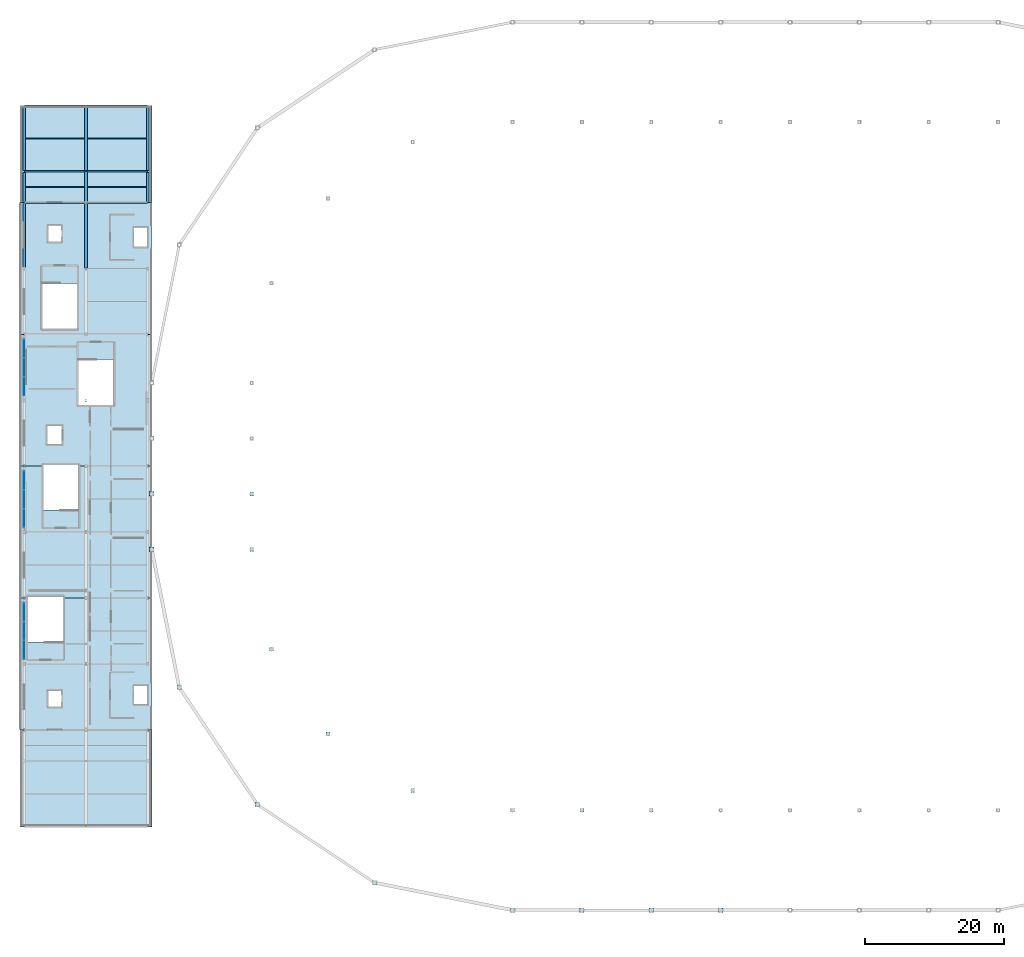
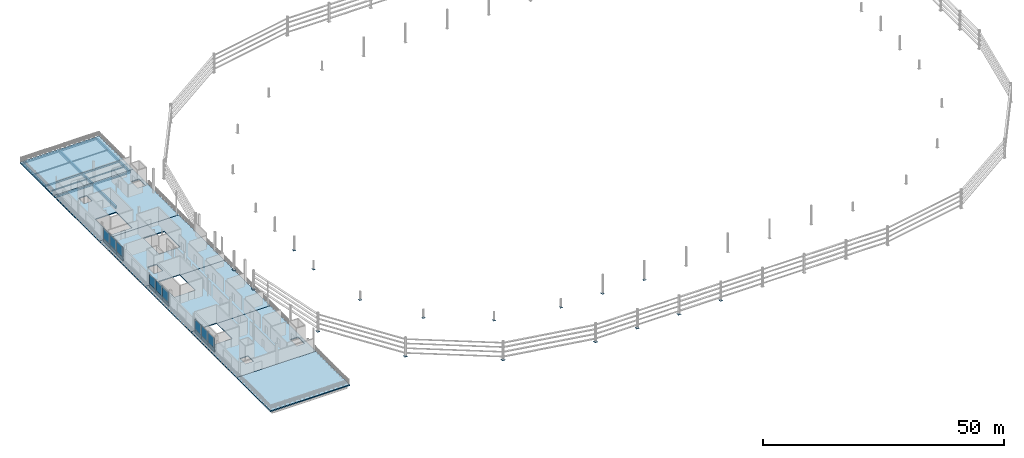
# One storey, part 19 of 29: 35 plates, 18 beams, 6 slabs, 3 elements without a shape of their own.
"""IFC4 building model written with IfcOpenShell, lengths in metres."""

from ifc_helpers import new_model, si_unit, direction, frame, origin, origin_2d, place, context, subcontext, project, spatial, polyline, rectangle, i_section, outline, extrude, material, layer, layer_set, material_profile, profile_set, type_object, element, aggregate, save


model = new_model("IFC4")

# Units and contexts
model_context = context("Model", 3, precision=1e-05, world=origin(), true_north=direction((0.0, 1.0)))
body_context = subcontext(model_context, "Body", "Model", "MODEL_VIEW")
ifc_project = project(units=[si_unit("LENGTHUNIT", "METRE"), si_unit("AREAUNIT", "SQUARE_METRE"), si_unit("VOLUMEUNIT", "CUBIC_METRE"), si_unit("PLANEANGLEUNIT", "RADIAN"), si_unit("MASSUNIT", "GRAM", prefix="KILO")], contexts=[model_context])

# Site, building, storey
site_placement = place(None, origin())
site = spatial("IfcSite", under=ifc_project, at=site_placement, CompositionType="ELEMENT")
building_placement = place(site_placement, origin())
building = spatial("IfcBuilding", under=site, at=building_placement, Name="Candeia Ridge Stadium", CompositionType="ELEMENT")
storey_placement = place(building_placement, frame((0.0, 0.0, 27.0)))
storey = spatial("IfcBuildingStorey", under=building, at=storey_placement, Name="L05", CompositionType="ELEMENT", Elevation=27.0)

# Beams
ifc_material_1 = material(Name="Steel ASTM A572 Grade 50", Category="steel")
ifc_material_profile_1 = material_profile(ifc_material_1, i_section(OverallWidth=0.194091796875, OverallDepth=0.468994140625, WebThickness=0.0126953125, FlangeThickness=0.0205078125, FilletRadius=0.012939453125, at=origin_2d()), Name="W460x106", Category="steel")
ifc_profile_set_1 = profile_set([ifc_material_profile_1], Name="Steel ASTM A572 Grade 50")
beam_type_1 = type_object("IfcBeamType", Name="Gondola Primary Girder W460x106", PredefinedType="BEAM", material=ifc_profile_set_1)
for number, where, z_axis, x_axis, name in (
    (1, (0.64990234375, 121.0, -0.50439453125), (1.0, 0.0, 0.0), (0.0, 1.0, 0.0), "Structural girder BM-L05-1394"),
    (2, (0.64990234375, 125.5, -0.50439453125), (1.0, 0.0, 0.0), (0.0, 1.0, 0.0), "Structural girder BM-L05-1396"),
    (3, (0.64990234375, 135.0, -0.50439453125), (1.0, 0.0, 0.0), (0.0, 1.0, 0.0), "Structural girder BM-L05-1398"),
    (4, (9.550048828125, 121.0, -0.50439453125), (1.0, 0.0, 0.0), (0.0, 1.0, 0.0), "Structural girder BM-L05-1414"),
    (5, (9.550048828125, 125.5, -0.50439453125), (1.0, 0.0, 0.0), (0.0, 1.0, 0.0), "Structural girder BM-L05-1416"),
    (6, (9.550048828125, 135.0, -0.50439453125), (1.0, 0.0, 0.0), (0.0, 1.0, 0.0), "Structural girder BM-L05-1418"),
):
    element("IfcBeam", number, at=place(storey_placement, frame(where, z_axis=z_axis, x_axis=x_axis)), inside=storey, type_object=beam_type_1, Name=name, PredefinedType="BEAM", context=body_context, shape_type="SweptSolid", body=[
        extrude(i_section(OverallWidth=0.194091796875, OverallDepth=0.468994140625, WebThickness=0.0126953125, FlangeThickness=0.0205078125, FilletRadius=0.012939453125, at=origin_2d()), origin(), (0.0, 0.0, 1.0), 8.800048828125),
    ])
ifc_material_profile_2 = material_profile(ifc_material_1, i_section(OverallWidth=0.1669921875, OverallDepth=0.31689453125, WebThickness=0.007568359375, FlangeThickness=0.01318359375, FilletRadius=0.011962890625, at=origin_2d()), Name="W310x52", Category="steel")
ifc_profile_set_2 = profile_set([ifc_material_profile_2], Name="Steel ASTM A572 Grade 50")
beam_type_2 = type_object("IfcBeamType", Name="Pavilion Secondary Joist W310x52", PredefinedType="JOIST", material=ifc_profile_set_2)
for number, where, z_axis, x_axis, name in (
    (7, (0.7744140625, 123.25, -0.428466796875), (1.0, 0.0, 0.0), (0.0, 1.0, 0.0), "Wing secondary joist BM-L05-1395"),
    (8, (0.7744140625, 130.25, -0.428466796875), (1.0, 0.0, 0.0), (0.0, 1.0, 0.0), "Wing secondary joist BM-L05-1397"),
    (9, (9.699462890625, 123.25, -0.428466796875), (1.0, 0.0, 0.0), (0.0, 1.0, 0.0), "Wing secondary joist BM-L05-1415"),
    (10, (9.699462890625, 130.25, -0.428466796875), (1.0, 0.0, 0.0), (0.0, 1.0, 0.0), "Wing secondary joist BM-L05-1417"),
):
    element("IfcBeam", number, at=place(storey_placement, frame(where, z_axis=z_axis, x_axis=x_axis)), inside=storey, type_object=beam_type_2, Name=name, PredefinedType="JOIST", context=body_context, shape_type="SweptSolid", body=[
        extrude(i_section(OverallWidth=0.1669921875, OverallDepth=0.31689453125, WebThickness=0.007568359375, FlangeThickness=0.01318359375, FilletRadius=0.011962890625, at=origin_2d()), origin(), (0.0, 0.0, 1.0), 8.526123046875),
    ])
ifc_material_2 = material(Name="Concrete C40/50", Category="concrete")
ifc_material_profile_3 = material_profile(ifc_material_2, rectangle(XDim=0.35009765625, YDim=0.64990234375, at=origin_2d()), Name="RC350x650", Category="concrete")
ifc_profile_set_3 = profile_set([ifc_material_profile_3], Name="Concrete C40/50")
beam_type_3 = type_object("IfcBeamType", Name="Spandrel Beam RC350x650", PredefinedType="SPANDREL", material=ifc_profile_set_3)
beam_1_placement = place(storey_placement, frame((0.60009765625, 111.659912109375, -0.594970703125), z_axis=(0.0, 1.0, 0.0), x_axis=(-1.0, 0.0, 0.0)))
element("IfcBeam", 11, at=beam_1_placement, inside=storey, type_object=beam_type_3, Name="Structural girder BM-L05-1362", PredefinedType="SPANDREL", context=body_context, shape_type="SweptSolid", body=[
    extrude(rectangle(XDim=0.35009765625, YDim=0.64990234375, at=origin_2d()), origin(), (0.0, 0.0, 1.0), 9.18017578125),
])
beam_2_placement = place(storey_placement, frame((0.60009765625, 121.159912109375, -0.594970703125), z_axis=(0.0, 1.0, 0.0), x_axis=(-1.0, 0.0, 0.0)))
element("IfcBeam", 12, at=beam_2_placement, inside=storey, type_object=beam_type_3, Name="Structural girder BM-L05-1363", PredefinedType="SPANDREL", context=body_context, shape_type="SweptSolid", body=[
    extrude(rectangle(XDim=0.35009765625, YDim=0.64990234375, at=origin_2d()), origin(), (0.0, 0.0, 1.0), 4.18017578125),
])
beam_3_placement = place(storey_placement, frame((0.60009765625, 125.659912109375, -0.594970703125), z_axis=(0.0, 1.0, 0.0), x_axis=(-1.0, 0.0, 0.0)))
element("IfcBeam", 13, at=beam_3_placement, inside=storey, type_object=beam_type_3, Name="Structural girder BM-L05-1364", PredefinedType="SPANDREL", context=body_context, shape_type="SweptSolid", body=[
    extrude(rectangle(XDim=0.35009765625, YDim=0.64990234375, at=origin_2d()), origin(), (0.0, 0.0, 1.0), 9.18017578125),
])
beam_4_placement = place(storey_placement, frame((18.39990234375, 121.159912109375, -0.594970703125), z_axis=(0.0, 1.0, 0.0), x_axis=(-1.0, 0.0, 0.0)))
element("IfcBeam", 14, at=beam_4_placement, inside=storey, type_object=beam_type_3, Name="Structural girder BM-L05-1383", PredefinedType="SPANDREL", context=body_context, shape_type="SweptSolid", body=[
    extrude(rectangle(XDim=0.35009765625, YDim=0.64990234375, at=origin_2d()), origin(), (0.0, 0.0, 1.0), 4.18017578125),
])
beam_5_placement = place(storey_placement, frame((18.39990234375, 125.659912109375, -0.594970703125), z_axis=(0.0, 1.0, 0.0), x_axis=(-1.0, 0.0, 0.0)))
element("IfcBeam", 15, at=beam_5_placement, inside=storey, type_object=beam_type_3, Name="Structural girder BM-L05-1384", PredefinedType="SPANDREL", context=body_context, shape_type="SweptSolid", body=[
    extrude(rectangle(XDim=0.35009765625, YDim=0.64990234375, at=origin_2d()), origin(), (0.0, 0.0, 1.0), 9.18017578125),
])
ifc_material_profile_4 = material_profile(ifc_material_2, rectangle(XDim=0.39990234375, YDim=0.64990234375, at=origin_2d()), Name="RC400x650", Category="concrete")
ifc_profile_set_4 = profile_set([ifc_material_profile_4], Name="Concrete C40/50")
beam_type_4 = type_object("IfcBeamType", Name="Wing Primary Girder RC400x650", PredefinedType="BEAM", material=ifc_profile_set_4)
beam_6_placement = place(storey_placement, frame((9.5, 111.550048828125, -0.594970703125), z_axis=(0.0, 1.0, 0.0), x_axis=(-1.0, 0.0, 0.0)))
element("IfcBeam", 16, at=beam_6_placement, inside=storey, type_object=beam_type_4, Name="Structural girder BM-L05-1372", PredefinedType="BEAM", context=body_context, shape_type="SweptSolid", body=[
    extrude(rectangle(XDim=0.39990234375, YDim=0.64990234375, at=origin_2d()), origin(), (0.0, 0.0, 1.0), 9.39990234375),
])
beam_7_placement = place(storey_placement, frame((9.5, 121.050048828125, -0.594970703125), z_axis=(0.0, 1.0, 0.0), x_axis=(-1.0, 0.0, 0.0)))
element("IfcBeam", 17, at=beam_7_placement, inside=storey, type_object=beam_type_4, Name="Structural girder BM-L05-1373", PredefinedType="BEAM", context=body_context, shape_type="SweptSolid", body=[
    extrude(rectangle(XDim=0.39990234375, YDim=0.64990234375, at=origin_2d()), origin(), (0.0, 0.0, 1.0), 4.39990234375),
])
beam_8_placement = place(storey_placement, frame((9.5, 125.550048828125, -0.594970703125), z_axis=(0.0, 1.0, 0.0), x_axis=(-1.0, 0.0, 0.0)))
element("IfcBeam", 18, at=beam_8_placement, inside=storey, type_object=beam_type_4, Name="Structural girder BM-L05-1374", PredefinedType="BEAM", context=body_context, shape_type="SweptSolid", body=[
    extrude(rectangle(XDim=0.39990234375, YDim=0.64990234375, at=origin_2d()), origin(), (0.0, 0.0, 1.0), 9.39990234375),
])

# Slabs
ifc_layer_1 = layer(ifc_material_2, 0.239990234375, Name="Concrete C40/50", Category="concrete")
ifc_layer_set_1 = layer_set([ifc_layer_1], Name="Concrete C40/50")
slab_type_1 = type_object("IfcSlabType", Name="Broadcast Gondola Slab 240", PredefinedType="FLOOR", material=ifc_layer_set_1)
slab_1_placement = place(storey_placement, frame((0.0, 0.0, -0.239990234375)))
element("IfcSlab", 19, at=slab_1_placement, inside=storey, type_object=slab_type_1, Name="Wing floor slab west SLB-L05-0308", PredefinedType="FLOOR", context=body_context, shape_type="SweptSolid", body=[
    extrude(outline(polyline([(19.0, 64.0), (19.0, 45.0), (0.0, 45.0), (0.0, 64.0), (1.14990234375, 64.0), (1.14990234375, 57.650634765625), (6.199951171875, 57.650634765625), (6.199951171875, 64.0), (19.0, 64.0)]), holes=[polyline([(4.050048828125, 50.64990234375), (4.050048828125, 48.35009765625), (5.949951171875, 48.35009765625), (5.949951171875, 50.64990234375), (4.050048828125, 50.64990234375)]), polyline([(16.449951171875, 51.35009765625), (16.449951171875, 48.64990234375), (18.35009765625, 48.64990234375), (18.35009765625, 51.35009765625), (16.449951171875, 51.35009765625)])]), origin(), (0.0, 0.0, 1.0), 0.239990234375),
])
slab_2_placement = place(storey_placement, frame((0.0, 0.0, -0.239990234375)))
element("IfcSlab", 20, at=slab_2_placement, inside=storey, type_object=slab_type_1, Name="Wing floor slab west SLB-L05-0309", PredefinedType="FLOOR", context=body_context, shape_type="SweptSolid", body=[
    extrude(outline(polyline([(19.0, 83.0), (19.0, 64.0), (6.199951171875, 64.0), (6.199951171875, 64.199951171875), (1.14990234375, 64.199951171875), (1.14990234375, 64.0), (0.0, 64.0), (0.0, 83.0), (3.35009765625, 83.0), (3.35009765625, 76.650634765625), (8.39990234375, 76.650634765625), (8.39990234375, 83.0), (19.0, 83.0)])), origin(), (0.0, 0.0, 1.0), 0.239990234375),
])
slab_3_placement = place(storey_placement, frame((0.0, 0.0, -0.239990234375)))
element("IfcSlab", 21, at=slab_3_placement, inside=storey, type_object=slab_type_1, Name="Wing floor slab west SLB-L05-0310", PredefinedType="FLOOR", context=body_context, shape_type="SweptSolid", body=[
    extrude(outline(polyline([(0.0, 83.0), (0.0, 102.0), (19.0, 102.0), (19.0, 83.0), (8.39990234375, 83.0), (8.39990234375, 83.199951171875), (3.35009765625, 83.199951171875), (3.35009765625, 83.0), (0.0, 83.0)]), holes=[polyline([(3.949951171875, 88.85009765625), (3.949951171875, 86.14990234375), (6.050048828125, 86.14990234375), (6.050048828125, 88.85009765625), (3.949951171875, 88.85009765625)]), polyline([(13.449951171875, 91.800048828125), (13.449951171875, 98.349365234375), (8.39990234375, 98.349365234375), (8.39990234375, 91.800048828125), (13.449951171875, 91.800048828125)])]), origin(), (0.0, 0.0, 1.0), 0.239990234375),
])
slab_4_placement = place(storey_placement, frame((0.0, 0.0, -0.239990234375)))
element("IfcSlab", 22, at=slab_4_placement, inside=storey, type_object=slab_type_1, Name="Wing floor slab west SLB-L05-0311", PredefinedType="FLOOR", context=body_context, shape_type="SweptSolid", body=[
    extrude(outline(polyline([(0.0, 102.0), (0.0, 121.0), (19.0, 121.0), (19.0, 102.0), (0.0, 102.0)]), holes=[polyline([(8.25, 102.800048828125), (8.25, 109.349365234375), (3.199951171875, 109.349365234375), (3.199951171875, 102.800048828125), (8.25, 102.800048828125)]), polyline([(18.35009765625, 117.35009765625), (16.449951171875, 117.35009765625), (16.449951171875, 114.64990234375), (18.35009765625, 114.64990234375), (18.35009765625, 117.35009765625)]), polyline([(5.949951171875, 117.64990234375), (4.050048828125, 117.64990234375), (4.050048828125, 115.35009765625), (5.949951171875, 115.35009765625), (5.949951171875, 117.64990234375)])]), origin(), (0.0, 0.0, 1.0), 0.239990234375),
])

# Plates
ifc_layer_2 = layer(ifc_material_1, 0.02490234375, Name="Steel ASTM A572 Grade 50", Category="steel")
ifc_layer_set_2 = layer_set([ifc_layer_2], Name="Steel ASTM A572 Grade 50")
plate_type_1 = type_object("IfcPlateType", Name="Hollow Section End Closure Plate CP1", PredefinedType="SHEET", material=ifc_layer_set_2)
plate_1_placement = place(storey_placement, frame((33.39990234375, 79.0, -0.012451171875), z_axis=(0.0, 0.0, 1.0), x_axis=(1.0, 0.0, 0.0)))
element("IfcPlate", 23, at=plate_1_placement, inside=storey, type_object=plate_type_1, Name="Hollow section end closure plate MCAP-B-BC-MD-13", PredefinedType="SHEET", context=body_context, shape_type="SweptSolid", body=[
    extrude(rectangle(XDim=0.5400390625, YDim=0.5400390625, at=origin_2d()), origin(), (0.0, 0.0, 1.0), 0.02490234375),
])
plate_2_placement = place(storey_placement, frame((19.0, 79.0, -0.012451171875), z_axis=(0.0, 0.0, 1.0), x_axis=(1.0, 0.0, 0.0)))
element("IfcPlate", 24, at=plate_2_placement, inside=storey, type_object=plate_type_1, Name="Hollow section end closure plate MCAP-B-BC-OU-13", PredefinedType="SHEET", context=body_context, shape_type="SweptSolid", body=[
    extrude(rectangle(XDim=0.639892578125, YDim=0.639892578125, at=origin_2d()), origin(), (0.0, 0.0, 1.0), 0.02490234375),
])
plate_3_placement = place(storey_placement, frame((33.39990234375, 71.0, -0.012451171875), z_axis=(0.0, 0.0, 1.0), x_axis=(1.0, 0.0, 0.0)))
element("IfcPlate", 25, at=plate_3_placement, inside=storey, type_object=plate_type_1, Name="Hollow section end closure plate MCAP-B-BC-MD-14", PredefinedType="SHEET", context=body_context, shape_type="SweptSolid", body=[
    extrude(rectangle(XDim=0.5400390625, YDim=0.5400390625, at=origin_2d()), origin(), (0.0, 0.0, 1.0), 0.02490234375),
])
plate_4_placement = place(storey_placement, frame((19.0, 71.0, -0.012451171875), z_axis=(0.0, 0.0, 1.0), x_axis=(1.0, 0.0, 0.0)))
element("IfcPlate", 26, at=plate_4_placement, inside=storey, type_object=plate_type_1, Name="Hollow section end closure plate MCAP-B-BC-OU-14", PredefinedType="SHEET", context=body_context, shape_type="SweptSolid", body=[
    extrude(rectangle(XDim=0.639892578125, YDim=0.639892578125, at=origin_2d()), origin(), (0.0, 0.0, 1.0), 0.02490234375),
])
plate_5_placement = place(storey_placement, frame((36.26220703125, 56.611083984375, -0.012451171875), z_axis=(0.0, 0.0, 1.0), x_axis=(1.0, 0.0, 0.0)))
element("IfcPlate", 27, at=plate_5_placement, inside=storey, type_object=plate_type_1, Name="Hollow section end closure plate MCAP-B-BC-MD-15", PredefinedType="SHEET", context=body_context, shape_type="SweptSolid", body=[
    extrude(rectangle(XDim=0.5400390625, YDim=0.5400390625, at=origin_2d()), origin(), (0.0, 0.0, 1.0), 0.02490234375),
])
plate_6_placement = place(storey_placement, frame((22.958251953125, 51.100341796875, -0.012451171875), z_axis=(0.0, 0.0, 1.0), x_axis=(1.0, 0.0, 0.0)))
element("IfcPlate", 28, at=plate_6_placement, inside=storey, type_object=plate_type_1, Name="Hollow section end closure plate MCAP-B-BC-OU-15", PredefinedType="SHEET", context=body_context, shape_type="SweptSolid", body=[
    extrude(rectangle(XDim=0.639892578125, YDim=0.639892578125, at=origin_2d()), origin(), (0.0, 0.0, 1.0), 0.02490234375),
])
plate_7_placement = place(storey_placement, frame((44.412841796875, 44.412841796875, -0.012451171875), z_axis=(0.0, 0.0, 1.0), x_axis=(1.0, 0.0, 0.0)))
element("IfcPlate", 29, at=plate_7_placement, inside=storey, type_object=plate_type_1, Name="Hollow section end closure plate MCAP-B-BC-MD-16", PredefinedType="SHEET", context=body_context, shape_type="SweptSolid", body=[
    extrude(rectangle(XDim=0.5400390625, YDim=0.5400390625, at=origin_2d()), origin(), (0.0, 0.0, 1.0), 0.02490234375),
])
plate_8_placement = place(storey_placement, frame((34.23046875, 34.23046875, -0.012451171875), z_axis=(0.0, 0.0, 1.0), x_axis=(1.0, 0.0, 0.0)))
element("IfcPlate", 30, at=plate_8_placement, inside=storey, type_object=plate_type_1, Name="Hollow section end closure plate MCAP-B-BC-OU-16", PredefinedType="SHEET", context=body_context, shape_type="SweptSolid", body=[
    extrude(rectangle(XDim=0.639892578125, YDim=0.639892578125, at=origin_2d()), origin(), (0.0, 0.0, 1.0), 0.02490234375),
])
plate_9_placement = place(storey_placement, frame((56.611083984375, 36.26220703125, -0.012451171875), z_axis=(0.0, 0.0, 1.0), x_axis=(1.0, 0.0, 0.0)))
element("IfcPlate", 31, at=plate_9_placement, inside=storey, type_object=plate_type_1, Name="Hollow section end closure plate MCAP-B-BC-MD-17", PredefinedType="SHEET", context=body_context, shape_type="SweptSolid", body=[
    extrude(rectangle(XDim=0.5400390625, YDim=0.5400390625, at=origin_2d()), origin(), (0.0, 0.0, 1.0), 0.02490234375),
])
plate_10_placement = place(storey_placement, frame((51.100341796875, 22.958251953125, -0.012451171875), z_axis=(0.0, 0.0, 1.0), x_axis=(1.0, 0.0, 0.0)))
element("IfcPlate", 32, at=plate_10_placement, inside=storey, type_object=plate_type_1, Name="Hollow section end closure plate MCAP-B-BC-OU-17", PredefinedType="SHEET", context=body_context, shape_type="SweptSolid", body=[
    extrude(rectangle(XDim=0.639892578125, YDim=0.639892578125, at=origin_2d()), origin(), (0.0, 0.0, 1.0), 0.02490234375),
])
plate_11_placement = place(storey_placement, frame((71.0, 33.39990234375, -0.012451171875), z_axis=(0.0, 0.0, 1.0), x_axis=(1.0, 0.0, 0.0)))
element("IfcPlate", 33, at=plate_11_placement, inside=storey, type_object=plate_type_1, Name="Hollow section end closure plate MCAP-B-BC-MD-18", PredefinedType="SHEET", context=body_context, shape_type="SweptSolid", body=[
    extrude(rectangle(XDim=0.5400390625, YDim=0.5400390625, at=origin_2d()), origin(), (0.0, 0.0, 1.0), 0.02490234375),
])
plate_12_placement = place(storey_placement, frame((71.0, 19.0, -0.012451171875), z_axis=(0.0, 0.0, 1.0), x_axis=(1.0, 0.0, 0.0)))
element("IfcPlate", 34, at=plate_12_placement, inside=storey, type_object=plate_type_1, Name="Hollow section end closure plate MCAP-B-BC-OU-18", PredefinedType="SHEET", context=body_context, shape_type="SweptSolid", body=[
    extrude(rectangle(XDim=0.639892578125, YDim=0.639892578125, at=origin_2d()), origin(), (0.0, 0.0, 1.0), 0.02490234375),
])
plate_13_placement = place(storey_placement, frame((81.0, 33.39990234375, -0.012451171875), z_axis=(0.0, 0.0, 1.0), x_axis=(1.0, 0.0, 0.0)))
element("IfcPlate", 35, at=plate_13_placement, inside=storey, type_object=plate_type_1, Name="Hollow section end closure plate MCAP-B-BC-MD-19", PredefinedType="SHEET", context=body_context, shape_type="SweptSolid", body=[
    extrude(rectangle(XDim=0.5400390625, YDim=0.5400390625, at=origin_2d()), origin(), (0.0, 0.0, 1.0), 0.02490234375),
])
plate_14_placement = place(storey_placement, frame((81.0, 19.0, -0.012451171875), z_axis=(0.0, 0.0, 1.0), x_axis=(1.0, 0.0, 0.0)))
element("IfcPlate", 36, at=plate_14_placement, inside=storey, type_object=plate_type_1, Name="Hollow section end closure plate MCAP-B-BC-OU-19", PredefinedType="SHEET", context=body_context, shape_type="SweptSolid", body=[
    extrude(rectangle(XDim=0.639892578125, YDim=0.639892578125, at=origin_2d()), origin(), (0.0, 0.0, 1.0), 0.02490234375),
])
plate_15_placement = place(storey_placement, frame((91.0, 33.39990234375, -0.012451171875), z_axis=(0.0, 0.0, 1.0), x_axis=(1.0, 0.0, 0.0)))
element("IfcPlate", 37, at=plate_15_placement, inside=storey, type_object=plate_type_1, Name="Hollow section end closure plate MCAP-B-BC-MD-20", PredefinedType="SHEET", context=body_context, shape_type="SweptSolid", body=[
    extrude(rectangle(XDim=0.5400390625, YDim=0.5400390625, at=origin_2d()), origin(), (0.0, 0.0, 1.0), 0.02490234375),
])
for number, where, z_axis, x_axis, name in (
    (38, (91.0, 19.0, -0.012451171875), (0.0, 0.0, 1.0), (1.0, 0.0, 0.0), "Hollow section end closure plate MCAP-B-BC-OU-20"),
    (39, (101.0, 19.0, -0.012451171875), (0.0, 0.0, 1.0), (1.0, 0.0, 0.0), "Hollow section end closure plate MCAP-B-BC-OU-21"),
):
    element("IfcPlate", number, at=place(storey_placement, frame(where, z_axis=z_axis, x_axis=x_axis)), inside=storey, type_object=plate_type_1, Name=name, PredefinedType="SHEET", context=body_context, shape_type="SweptSolid", body=[
        extrude(rectangle(XDim=0.639892578125, YDim=0.639892578125, at=origin_2d()), origin(), (0.0, 0.0, 1.0), 0.02490234375),
    ])

# Curtain wall, plates
ifc_material_3 = material(Name="Aluminium Anodized Warm Bronze", Category="aluminium")
curtain_wall_type = type_object("IfcCurtainWallType", Name="West Pavilion Hospitality Curtain Wall", PredefinedType="NOTDEFINED", material=ifc_material_3)
curtain_wall_1_placement = place(storey_placement, origin())
curtain_wall_1 = element("IfcCurtainWall", 40, at=curtain_wall_1_placement, inside=storey, type_object=curtain_wall_type, Name="Unitised curtain wall CW-WNG-L05-098", PredefinedType="NOTDEFINED")
ifc_material_4 = material(Name="Aluminium Insulated Spandrel", Category="aluminium")
ifc_layer_3 = layer(ifc_material_4, 0.06494140625, Name="Aluminium Insulated Spandrel", Category="aluminium")
ifc_layer_set_3 = layer_set([ifc_layer_3], Name="Aluminium Insulated Spandrel")
plate_type_2 = type_object("IfcPlateType", Name="Insulated Cedar-Tone Spandrel Panel SP3", PredefinedType="CURTAIN_PANEL", material=ifc_layer_set_3)
plate_16_placement = place(storey_placement, frame((0.60009765625, 56.523193359375, 0.0400390625), z_axis=(0.0, 0.0, 1.0), x_axis=(0.0, 1.0, 0.0)))
plate_16 = element("IfcPlate", 41, at=plate_16_placement, type_object=plate_type_2, Name="Curtain wall spandrel panel CW-WNG-L05-098-SP0", PredefinedType="CURTAIN_PANEL", context=body_context, shape_type="SweptSolid", body=[
    extrude(rectangle(XDim=2.65673828125, YDim=0.06494140625, at=origin_2d()), origin(), (0.0, 0.0, 1.0), 0.794921875),
])
plate_17_placement = place(storey_placement, frame((0.60009765625, 59.25, 0.0400390625), z_axis=(0.0, 0.0, 1.0), x_axis=(0.0, 1.0, 0.0)))
plate_17 = element("IfcPlate", 42, at=plate_17_placement, type_object=plate_type_2, Name="Curtain wall spandrel panel CW-WNG-L05-098-SP1", PredefinedType="CURTAIN_PANEL", context=body_context, shape_type="SweptSolid", body=[
    extrude(rectangle(XDim=2.65673828125, YDim=0.06494140625, at=origin_2d()), origin(), (0.0, 0.0, 1.0), 0.794921875),
])
plate_18_placement = place(storey_placement, frame((0.60009765625, 61.976806640625, 0.0400390625), z_axis=(0.0, 0.0, 1.0), x_axis=(0.0, 1.0, 0.0)))
plate_18 = element("IfcPlate", 43, at=plate_18_placement, type_object=plate_type_2, Name="Curtain wall spandrel panel CW-WNG-L05-098-SP2", PredefinedType="CURTAIN_PANEL", context=body_context, shape_type="SweptSolid", body=[
    extrude(rectangle(XDim=2.65673828125, YDim=0.06494140625, at=origin_2d()), origin(), (0.0, 0.0, 1.0), 0.794921875),
])

curtain_wall_2_placement = place(storey_placement, origin())
curtain_wall_2 = element("IfcCurtainWall", 44, at=curtain_wall_2_placement, inside=storey, type_object=curtain_wall_type, Name="Unitised curtain wall CW-WNG-L05-099", PredefinedType="NOTDEFINED")
plate_19_placement = place(storey_placement, frame((0.60009765625, 75.523193359375, 0.0400390625), z_axis=(0.0, 0.0, 1.0), x_axis=(0.0, 1.0, 0.0)))
plate_19 = element("IfcPlate", 45, at=plate_19_placement, type_object=plate_type_2, Name="Curtain wall spandrel panel CW-WNG-L05-099-SP0", PredefinedType="CURTAIN_PANEL", context=body_context, shape_type="SweptSolid", body=[
    extrude(rectangle(XDim=2.65673828125, YDim=0.06494140625, at=origin_2d()), origin(), (0.0, 0.0, 1.0), 0.794921875),
])
plate_20_placement = place(storey_placement, frame((0.60009765625, 78.25, 0.0400390625), z_axis=(0.0, 0.0, 1.0), x_axis=(0.0, 1.0, 0.0)))
plate_20 = element("IfcPlate", 46, at=plate_20_placement, type_object=plate_type_2, Name="Curtain wall spandrel panel CW-WNG-L05-099-SP1", PredefinedType="CURTAIN_PANEL", context=body_context, shape_type="SweptSolid", body=[
    extrude(rectangle(XDim=2.65673828125, YDim=0.06494140625, at=origin_2d()), origin(), (0.0, 0.0, 1.0), 0.794921875),
])
plate_21_placement = place(storey_placement, frame((0.60009765625, 80.976806640625, 0.0400390625), z_axis=(0.0, 0.0, 1.0), x_axis=(0.0, 1.0, 0.0)))
plate_21 = element("IfcPlate", 47, at=plate_21_placement, type_object=plate_type_2, Name="Curtain wall spandrel panel CW-WNG-L05-099-SP2", PredefinedType="CURTAIN_PANEL", context=body_context, shape_type="SweptSolid", body=[
    extrude(rectangle(XDim=2.65673828125, YDim=0.06494140625, at=origin_2d()), origin(), (0.0, 0.0, 1.0), 0.794921875),
])

curtain_wall_3_placement = place(storey_placement, origin())
curtain_wall_3 = element("IfcCurtainWall", 48, at=curtain_wall_3_placement, inside=storey, type_object=curtain_wall_type, Name="Unitised curtain wall CW-WNG-L05-100", PredefinedType="NOTDEFINED")
plate_22_placement = place(storey_placement, frame((0.60009765625, 94.523193359375, 0.0400390625), z_axis=(0.0, 0.0, 1.0), x_axis=(0.0, 1.0, 0.0)))
plate_22 = element("IfcPlate", 49, at=plate_22_placement, type_object=plate_type_2, Name="Curtain wall spandrel panel CW-WNG-L05-100-SP0", PredefinedType="CURTAIN_PANEL", context=body_context, shape_type="SweptSolid", body=[
    extrude(rectangle(XDim=2.65673828125, YDim=0.06494140625, at=origin_2d()), origin(), (0.0, 0.0, 1.0), 0.794921875),
])
plate_23_placement = place(storey_placement, frame((0.60009765625, 97.25, 0.0400390625), z_axis=(0.0, 0.0, 1.0), x_axis=(0.0, 1.0, 0.0)))
plate_23 = element("IfcPlate", 50, at=plate_23_placement, type_object=plate_type_2, Name="Curtain wall spandrel panel CW-WNG-L05-100-SP1", PredefinedType="CURTAIN_PANEL", context=body_context, shape_type="SweptSolid", body=[
    extrude(rectangle(XDim=2.65673828125, YDim=0.06494140625, at=origin_2d()), origin(), (0.0, 0.0, 1.0), 0.794921875),
])
plate_24_placement = place(storey_placement, frame((0.60009765625, 99.976806640625, 0.0400390625), z_axis=(0.0, 0.0, 1.0), x_axis=(0.0, 1.0, 0.0)))
plate_24 = element("IfcPlate", 51, at=plate_24_placement, type_object=plate_type_2, Name="Curtain wall spandrel panel CW-WNG-L05-100-SP2", PredefinedType="CURTAIN_PANEL", context=body_context, shape_type="SweptSolid", body=[
    extrude(rectangle(XDim=2.65673828125, YDim=0.06494140625, at=origin_2d()), origin(), (0.0, 0.0, 1.0), 0.794921875),
])

# Plate
ifc_material_5 = material(Name="Tempered Low-E Double Glazing", Category="glass")
ifc_layer_4 = layer(ifc_material_5, 0.035888671875, Name="Tempered Low-E Double Glazing", Category="glass")
ifc_layer_set_4 = layer_set([ifc_layer_4], Name="Tempered Low-E Double Glazing")
plate_type_3 = type_object("IfcPlateType", Name="Pavilion Panorama Glass Panel GP4", PredefinedType="CURTAIN_PANEL", material=ifc_layer_set_4)
plate_25_placement = place(storey_placement, frame((0.60009765625, 56.523193359375, 0.9150390625), z_axis=(0.0, 0.0, 1.0), x_axis=(0.0, 1.0, 0.0)))
plate_25 = element("IfcPlate", 52, at=plate_25_placement, type_object=plate_type_3, Name="Curtain wall vision glass panel CW-WNG-L05-098-GP0", PredefinedType="CURTAIN_PANEL", context=body_context, shape_type="SweptSolid", body=[
    extrude(rectangle(XDim=2.65673828125, YDim=0.035888671875, at=origin_2d()), origin(), (0.0, 0.0, 1.0), 2.544921875),
])

plate_26_placement = place(storey_placement, frame((0.60009765625, 59.25, 0.9150390625), z_axis=(0.0, 0.0, 1.0), x_axis=(0.0, 1.0, 0.0)))
plate_26 = element("IfcPlate", 53, at=plate_26_placement, type_object=plate_type_3, Name="Curtain wall vision glass panel CW-WNG-L05-098-GP1", PredefinedType="CURTAIN_PANEL", context=body_context, shape_type="SweptSolid", body=[
    extrude(rectangle(XDim=2.65673828125, YDim=0.035888671875, at=origin_2d()), origin(), (0.0, 0.0, 1.0), 2.544921875),
])

plate_27_placement = place(storey_placement, frame((0.60009765625, 61.976806640625, 0.9150390625), z_axis=(0.0, 0.0, 1.0), x_axis=(0.0, 1.0, 0.0)))
plate_27 = element("IfcPlate", 54, at=plate_27_placement, type_object=plate_type_3, Name="Curtain wall vision glass panel CW-WNG-L05-098-GP2", PredefinedType="CURTAIN_PANEL", context=body_context, shape_type="SweptSolid", body=[
    extrude(rectangle(XDim=2.65673828125, YDim=0.035888671875, at=origin_2d()), origin(), (0.0, 0.0, 1.0), 2.544921875),
])

aggregate(curtain_wall_1, [plate_16, plate_25, plate_17, plate_26, plate_18, plate_27])

plate_28_placement = place(storey_placement, frame((0.60009765625, 75.523193359375, 0.9150390625), z_axis=(0.0, 0.0, 1.0), x_axis=(0.0, 1.0, 0.0)))
plate_28 = element("IfcPlate", 55, at=plate_28_placement, type_object=plate_type_3, Name="Curtain wall vision glass panel CW-WNG-L05-099-GP0", PredefinedType="CURTAIN_PANEL", context=body_context, shape_type="SweptSolid", body=[
    extrude(rectangle(XDim=2.65673828125, YDim=0.035888671875, at=origin_2d()), origin(), (0.0, 0.0, 1.0), 2.544921875),
])

plate_29_placement = place(storey_placement, frame((0.60009765625, 78.25, 0.9150390625), z_axis=(0.0, 0.0, 1.0), x_axis=(0.0, 1.0, 0.0)))
plate_29 = element("IfcPlate", 56, at=plate_29_placement, type_object=plate_type_3, Name="Curtain wall vision glass panel CW-WNG-L05-099-GP1", PredefinedType="CURTAIN_PANEL", context=body_context, shape_type="SweptSolid", body=[
    extrude(rectangle(XDim=2.65673828125, YDim=0.035888671875, at=origin_2d()), origin(), (0.0, 0.0, 1.0), 2.544921875),
])

plate_30_placement = place(storey_placement, frame((0.60009765625, 80.976806640625, 0.9150390625), z_axis=(0.0, 0.0, 1.0), x_axis=(0.0, 1.0, 0.0)))
plate_30 = element("IfcPlate", 57, at=plate_30_placement, type_object=plate_type_3, Name="Curtain wall vision glass panel CW-WNG-L05-099-GP2", PredefinedType="CURTAIN_PANEL", context=body_context, shape_type="SweptSolid", body=[
    extrude(rectangle(XDim=2.65673828125, YDim=0.035888671875, at=origin_2d()), origin(), (0.0, 0.0, 1.0), 2.544921875),
])

aggregate(curtain_wall_2, [plate_19, plate_28, plate_20, plate_29, plate_21, plate_30])

plate_31_placement = place(storey_placement, frame((0.60009765625, 94.523193359375, 0.9150390625), z_axis=(0.0, 0.0, 1.0), x_axis=(0.0, 1.0, 0.0)))
plate_31 = element("IfcPlate", 58, at=plate_31_placement, type_object=plate_type_3, Name="Curtain wall vision glass panel CW-WNG-L05-100-GP0", PredefinedType="CURTAIN_PANEL", context=body_context, shape_type="SweptSolid", body=[
    extrude(rectangle(XDim=2.65673828125, YDim=0.035888671875, at=origin_2d()), origin(), (0.0, 0.0, 1.0), 2.544921875),
])

plate_32_placement = place(storey_placement, frame((0.60009765625, 97.25, 0.9150390625), z_axis=(0.0, 0.0, 1.0), x_axis=(0.0, 1.0, 0.0)))
plate_32 = element("IfcPlate", 59, at=plate_32_placement, type_object=plate_type_3, Name="Curtain wall vision glass panel CW-WNG-L05-100-GP1", PredefinedType="CURTAIN_PANEL", context=body_context, shape_type="SweptSolid", body=[
    extrude(rectangle(XDim=2.65673828125, YDim=0.035888671875, at=origin_2d()), origin(), (0.0, 0.0, 1.0), 2.544921875),
])

plate_33_placement = place(storey_placement, frame((0.60009765625, 99.976806640625, 0.9150390625), z_axis=(0.0, 0.0, 1.0), x_axis=(0.0, 1.0, 0.0)))
plate_33 = element("IfcPlate", 60, at=plate_33_placement, type_object=plate_type_3, Name="Curtain wall vision glass panel CW-WNG-L05-100-GP2", PredefinedType="CURTAIN_PANEL", context=body_context, shape_type="SweptSolid", body=[
    extrude(rectangle(XDim=2.65673828125, YDim=0.035888671875, at=origin_2d()), origin(), (0.0, 0.0, 1.0), 2.544921875),
])

aggregate(curtain_wall_3, [plate_22, plate_31, plate_23, plate_32, plate_24, plate_33])

# Slabs
ifc_layer_5 = layer(ifc_material_2, 0.27001953125, Name="Concrete C40/50", Category="concrete")
ifc_layer_set_5 = layer_set([ifc_layer_5], Name="Concrete C40/50")
slab_type_2 = type_object("IfcSlabType", Name="Planted Podium Terrace Deck 270", PredefinedType="ROOF", material=ifc_layer_set_5)
slab_5_placement = place(storey_placement, frame((0.0, 0.0, -0.27001953125)))
element("IfcSlab", 61, at=slab_5_placement, inside=storey, type_object=slab_type_2, Name="Planted roof garden slab SLB-L05-0312", PredefinedType="ROOF", context=body_context, shape_type="SweptSolid", body=[
    extrude(outline(polyline([(0.0, 121.0), (0.0, 135.0), (19.0, 135.0), (19.0, 121.0), (0.0, 121.0)])), origin(), (0.0, 0.0, 1.0), 0.27001953125),
])
slab_6_placement = place(storey_placement, frame((0.0, 0.0, -0.27001953125)))
element("IfcSlab", 62, at=slab_6_placement, inside=storey, type_object=slab_type_2, Name="Planted roof garden slab SLB-L05-0313", PredefinedType="ROOF", context=body_context, shape_type="SweptSolid", body=[
    extrude(outline(polyline([(0.0, 31.0), (0.0, 45.0), (19.0, 45.0), (19.0, 31.0), (0.0, 31.0)])), origin(), (0.0, 0.0, 1.0), 0.27001953125),
])

save(model, "model.ifc")
